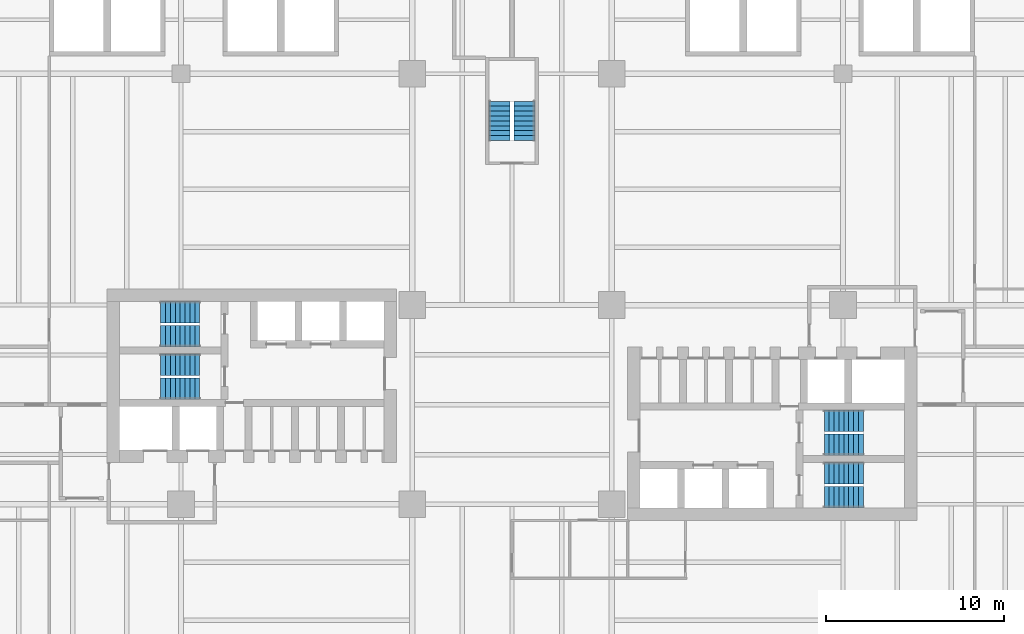
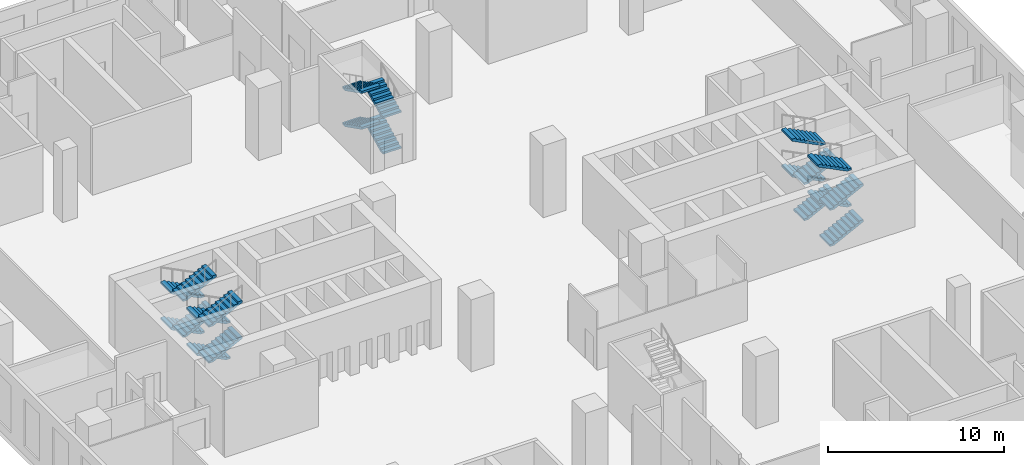
# One storey, part 12 of 13: 20 stair flights, 5 elements without a shape of their own.
"""IFC4 building model written with IfcOpenShell, lengths in metres."""

from ifc_helpers import new_model, si_unit, direction, frame, origin, place, context, subcontext, project, spatial, polyline, outline, extrude, source, transform, mapped, material, type_object, element, aggregate, save


model = new_model("IFC4")

# Units and contexts
model_context = context("Model", 3, precision=1e-05, world=origin(), true_north=direction((0.0, 1.0)))
body_context = subcontext(model_context, "Body", "Model", "MODEL_VIEW")
ifc_project = project(units=[si_unit("LENGTHUNIT", "METRE"), si_unit("AREAUNIT", "SQUARE_METRE"), si_unit("VOLUMEUNIT", "CUBIC_METRE"), si_unit("PLANEANGLEUNIT", "RADIAN"), si_unit("MASSUNIT", "GRAM", prefix="KILO")], contexts=[model_context])

# Site, building, storey
site_placement = place(None, origin())
site = spatial("IfcSite", under=ifc_project, at=site_placement, CompositionType="ELEMENT")
building_placement = place(site_placement, origin())
building = spatial("IfcBuilding", under=site, at=building_placement, Name="Trellis Farm Tower", CompositionType="ELEMENT")
storey_placement = place(building_placement, frame((0.0, 0.0, 29.0)))
storey = spatial("IfcBuildingStorey", under=building, at=storey_placement, Name="L05", CompositionType="ELEMENT", Elevation=29.0)

# Stair, stair flights
ifc_material = material(Name="Concrete C50/60", Category="concrete")
stair_type = type_object("IfcStairType", Name="CORE EXIT STAIR 36 RISERS 139 MM", PredefinedType="HALF_TURN_STAIR", material=ifc_material)
placement = place(storey_placement, origin())
stair_1 = element("IfcStair", 1, at=placement, inside=storey, type_object=stair_type, Name="Exit stair N", PredefinedType="HALF_TURN_STAIR")
stair_flight_type = type_object("IfcStairFlightType", Name="STAIR FLIGHT 9 RISERS 139 MM", PredefinedType="STRAIGHT", material=ifc_material)
shared_shape = source(origin(), body_context, "Body", "SweptSolid", [
    extrude(outline(polyline([(0.0, 0.0), (0.0, 0.138916015625), (0.27490234375, 0.138916015625), (0.27490234375, 0.27783203125), (0.550048828125, 0.27783203125), (0.550048828125, 0.416748046875), (0.824951171875, 0.416748046875), (0.824951171875, 0.5556640625), (1.10009765625, 0.5556640625), (1.10009765625, 0.6943359375), (1.375, 0.6943359375), (1.375, 0.833251953125), (1.64990234375, 0.833251953125), (1.64990234375, 0.97216796875), (1.925048828125, 0.97216796875), (1.925048828125, 1.111083984375), (2.199951171875, 1.111083984375), (2.199951171875, 1.25), (2.199951171875, 0.965576171875), (0.2880859375, 0.0), (0.0, 0.0)])), frame((0.0, 0.60009765625, 0.0), z_axis=(0.0, -1.0, 0.0), x_axis=(1.0, 0.0, 0.0)), (0.0, 0.0, 1.0), 1.199951171875),
])
stair_flight_1_placement = place(storey_placement, frame((0.699951171875, 14.85009765625, 0.0), z_axis=(0.0, 0.0, 1.0), x_axis=(0.0, 1.0, 0.0)))
stair_flight_1 = element("IfcStairFlight", 2, at=stair_flight_1_placement, type_object=stair_flight_type, Name="STN flight 1", NumberOfRisers=9, NumberOfTreads=8, PredefinedType="STRAIGHT", RiserHeight=0.138888889, TreadLength=0.275, context=body_context, shape_type="MappedRepresentation", body=[
    mapped(shared_shape, transform((0.0, 0.0, 0.0))),
])
stair_flight_2_placement = place(storey_placement, frame((-0.699951171875, 17.050048828125, 1.25), z_axis=(0.0, 0.0, 1.0), x_axis=(0.0, -1.0, 0.0)))
stair_flight_2 = element("IfcStairFlight", 3, at=stair_flight_2_placement, type_object=stair_flight_type, Name="STN flight 2", NumberOfRisers=9, NumberOfTreads=8, PredefinedType="STRAIGHT", RiserHeight=0.138888889, TreadLength=0.275, context=body_context, shape_type="MappedRepresentation", body=[
    mapped(shared_shape, transform((0.0, 0.0, 0.0))),
])
stair_flight_3_placement = place(storey_placement, frame((0.699951171875, 14.85009765625, 2.5), z_axis=(0.0, 0.0, 1.0), x_axis=(0.0, 1.0, 0.0)))
stair_flight_3 = element("IfcStairFlight", 4, at=stair_flight_3_placement, type_object=stair_flight_type, Name="STN flight 3", NumberOfRisers=9, NumberOfTreads=8, PredefinedType="STRAIGHT", RiserHeight=0.138888889, TreadLength=0.275, context=body_context, shape_type="MappedRepresentation", body=[
    mapped(shared_shape, transform((0.0, 0.0, 0.0))),
])
stair_flight_4_placement = place(storey_placement, frame((-0.699951171875, 17.050048828125, 3.75), z_axis=(0.0, 0.0, 1.0), x_axis=(0.0, -1.0, 0.0)))
stair_flight_4 = element("IfcStairFlight", 5, at=stair_flight_4_placement, type_object=stair_flight_type, Name="STN flight 4", NumberOfRisers=9, NumberOfTreads=8, PredefinedType="STRAIGHT", RiserHeight=0.138888889, TreadLength=0.275, context=body_context, shape_type="MappedRepresentation", body=[
    mapped(shared_shape, transform((0.0, 0.0, 0.0))),
])
aggregate(stair_1, [stair_flight_1, stair_flight_2, stair_flight_3, stair_flight_4])

stair_2 = element("IfcStair", 6, at=placement, inside=storey, type_object=stair_type, Name="Exit stair E1", PredefinedType="HALF_TURN_STAIR")
stair_flight_5_placement = place(storey_placement, frame((17.550048828125, -5.199951171875, 0.0), z_axis=(0.0, 0.0, 1.0), x_axis=(1.0, 0.0, 0.0)))
stair_flight_5 = element("IfcStairFlight", 7, at=stair_flight_5_placement, type_object=stair_flight_type, Name="STE1 flight 1", NumberOfRisers=9, NumberOfTreads=8, PredefinedType="STRAIGHT", RiserHeight=0.138888889, TreadLength=0.275, context=body_context, shape_type="MappedRepresentation", body=[
    mapped(shared_shape, transform((0.0, 0.0, 0.0))),
])
stair_flight_6_placement = place(storey_placement, frame((19.75, -3.85009765625, 1.25), z_axis=(0.0, 0.0, 1.0), x_axis=(-1.0, 0.0, 0.0)))
stair_flight_6 = element("IfcStairFlight", 8, at=stair_flight_6_placement, type_object=stair_flight_type, Name="STE1 flight 2", NumberOfRisers=9, NumberOfTreads=8, PredefinedType="STRAIGHT", RiserHeight=0.138888889, TreadLength=0.275, context=body_context, shape_type="MappedRepresentation", body=[
    mapped(shared_shape, transform((0.0, 0.0, 0.0))),
])
stair_flight_7_placement = place(storey_placement, frame((17.550048828125, -5.199951171875, 2.5), z_axis=(0.0, 0.0, 1.0), x_axis=(1.0, 0.0, 0.0)))
stair_flight_7 = element("IfcStairFlight", 9, at=stair_flight_7_placement, type_object=stair_flight_type, Name="STE1 flight 3", NumberOfRisers=9, NumberOfTreads=8, PredefinedType="STRAIGHT", RiserHeight=0.138888889, TreadLength=0.275, context=body_context, shape_type="MappedRepresentation", body=[
    mapped(shared_shape, transform((0.0, 0.0, 0.0))),
])
stair_flight_8_placement = place(storey_placement, frame((19.75, -3.85009765625, 3.75), z_axis=(0.0, 0.0, 1.0), x_axis=(-1.0, 0.0, 0.0)))
stair_flight_8 = element("IfcStairFlight", 10, at=stair_flight_8_placement, type_object=stair_flight_type, Name="STE1 flight 4", NumberOfRisers=9, NumberOfTreads=8, PredefinedType="STRAIGHT", RiserHeight=0.138888889, TreadLength=0.275, context=body_context, shape_type="MappedRepresentation", body=[
    mapped(shared_shape, transform((0.0, 0.0, 0.0))),
])
aggregate(stair_2, [stair_flight_5, stair_flight_6, stair_flight_7, stair_flight_8])

stair_3 = element("IfcStair", 11, at=placement, inside=storey, type_object=stair_type, Name="Exit stair E2", PredefinedType="HALF_TURN_STAIR")
stair_flight_9_placement = place(storey_placement, frame((17.550048828125, -2.25, 0.0), z_axis=(0.0, 0.0, 1.0), x_axis=(1.0, 0.0, 0.0)))
stair_flight_9 = element("IfcStairFlight", 12, at=stair_flight_9_placement, type_object=stair_flight_type, Name="STE2 flight 1", NumberOfRisers=9, NumberOfTreads=8, PredefinedType="STRAIGHT", RiserHeight=0.138888889, TreadLength=0.275, context=body_context, shape_type="MappedRepresentation", body=[
    mapped(shared_shape, transform((0.0, 0.0, 0.0))),
])
stair_flight_10_placement = place(storey_placement, frame((19.75, -0.89990234375, 1.25), z_axis=(0.0, 0.0, 1.0), x_axis=(-1.0, 0.0, 0.0)))
stair_flight_10 = element("IfcStairFlight", 13, at=stair_flight_10_placement, type_object=stair_flight_type, Name="STE2 flight 2", NumberOfRisers=9, NumberOfTreads=8, PredefinedType="STRAIGHT", RiserHeight=0.138888889, TreadLength=0.275, context=body_context, shape_type="MappedRepresentation", body=[
    mapped(shared_shape, transform((0.0, 0.0, 0.0))),
])
stair_flight_11_placement = place(storey_placement, frame((17.550048828125, -2.25, 2.5), z_axis=(0.0, 0.0, 1.0), x_axis=(1.0, 0.0, 0.0)))
stair_flight_11 = element("IfcStairFlight", 14, at=stair_flight_11_placement, type_object=stair_flight_type, Name="STE2 flight 3", NumberOfRisers=9, NumberOfTreads=8, PredefinedType="STRAIGHT", RiserHeight=0.138888889, TreadLength=0.275, context=body_context, shape_type="MappedRepresentation", body=[
    mapped(shared_shape, transform((0.0, 0.0, 0.0))),
])
stair_flight_12_placement = place(storey_placement, frame((19.75, -0.89990234375, 3.75), z_axis=(0.0, 0.0, 1.0), x_axis=(-1.0, 0.0, 0.0)))
stair_flight_12 = element("IfcStairFlight", 15, at=stair_flight_12_placement, type_object=stair_flight_type, Name="STE2 flight 4", NumberOfRisers=9, NumberOfTreads=8, PredefinedType="STRAIGHT", RiserHeight=0.138888889, TreadLength=0.275, context=body_context, shape_type="MappedRepresentation", body=[
    mapped(shared_shape, transform((0.0, 0.0, 0.0))),
])
aggregate(stair_3, [stair_flight_9, stair_flight_10, stair_flight_11, stair_flight_12])

stair_4 = element("IfcStair", 16, at=placement, inside=storey, type_object=stair_type, Name="Exit stair W1", PredefinedType="HALF_TURN_STAIR")
stair_flight_13_placement = place(storey_placement, frame((-17.550048828125, 5.199951171875, 0.0), z_axis=(0.0, 0.0, 1.0), x_axis=(-1.0, 0.0, 0.0)))
stair_flight_13 = element("IfcStairFlight", 17, at=stair_flight_13_placement, type_object=stair_flight_type, Name="STW1 flight 1", NumberOfRisers=9, NumberOfTreads=8, PredefinedType="STRAIGHT", RiserHeight=0.138888889, TreadLength=0.275, context=body_context, shape_type="MappedRepresentation", body=[
    mapped(shared_shape, transform((0.0, 0.0, 0.0))),
])
stair_flight_14_placement = place(storey_placement, frame((-19.75, 3.85009765625, 1.25), z_axis=(0.0, 0.0, 1.0), x_axis=(1.0, 0.0, 0.0)))
stair_flight_14 = element("IfcStairFlight", 18, at=stair_flight_14_placement, type_object=stair_flight_type, Name="STW1 flight 2", NumberOfRisers=9, NumberOfTreads=8, PredefinedType="STRAIGHT", RiserHeight=0.138888889, TreadLength=0.275, context=body_context, shape_type="MappedRepresentation", body=[
    mapped(shared_shape, transform((0.0, 0.0, 0.0))),
])
stair_flight_15_placement = place(storey_placement, frame((-17.550048828125, 5.199951171875, 2.5), z_axis=(0.0, 0.0, 1.0), x_axis=(-1.0, 0.0, 0.0)))
stair_flight_15 = element("IfcStairFlight", 19, at=stair_flight_15_placement, type_object=stair_flight_type, Name="STW1 flight 3", NumberOfRisers=9, NumberOfTreads=8, PredefinedType="STRAIGHT", RiserHeight=0.138888889, TreadLength=0.275, context=body_context, shape_type="MappedRepresentation", body=[
    mapped(shared_shape, transform((0.0, 0.0, 0.0))),
])
stair_flight_16_placement = place(storey_placement, frame((-19.75, 3.85009765625, 3.75), z_axis=(0.0, 0.0, 1.0), x_axis=(1.0, 0.0, 0.0)))
stair_flight_16 = element("IfcStairFlight", 20, at=stair_flight_16_placement, type_object=stair_flight_type, Name="STW1 flight 4", NumberOfRisers=9, NumberOfTreads=8, PredefinedType="STRAIGHT", RiserHeight=0.138888889, TreadLength=0.275, context=body_context, shape_type="MappedRepresentation", body=[
    mapped(shared_shape, transform((0.0, 0.0, 0.0))),
])
aggregate(stair_4, [stair_flight_13, stair_flight_14, stair_flight_15, stair_flight_16])

stair_5 = element("IfcStair", 21, at=placement, inside=storey, type_object=stair_type, Name="Exit stair W2", PredefinedType="HALF_TURN_STAIR")
stair_flight_17_placement = place(storey_placement, frame((-17.550048828125, 2.25, 0.0), z_axis=(0.0, 0.0, 1.0), x_axis=(-1.0, 0.0, 0.0)))
stair_flight_17 = element("IfcStairFlight", 22, at=stair_flight_17_placement, type_object=stair_flight_type, Name="STW2 flight 1", NumberOfRisers=9, NumberOfTreads=8, PredefinedType="STRAIGHT", RiserHeight=0.138888889, TreadLength=0.275, context=body_context, shape_type="MappedRepresentation", body=[
    mapped(shared_shape, transform((0.0, 0.0, 0.0))),
])
stair_flight_18_placement = place(storey_placement, frame((-19.75, 0.89990234375, 1.25), z_axis=(0.0, 0.0, 1.0), x_axis=(1.0, 0.0, 0.0)))
stair_flight_18 = element("IfcStairFlight", 23, at=stair_flight_18_placement, type_object=stair_flight_type, Name="STW2 flight 2", NumberOfRisers=9, NumberOfTreads=8, PredefinedType="STRAIGHT", RiserHeight=0.138888889, TreadLength=0.275, context=body_context, shape_type="MappedRepresentation", body=[
    mapped(shared_shape, transform((0.0, 0.0, 0.0))),
])
stair_flight_19_placement = place(storey_placement, frame((-17.550048828125, 2.25, 2.5), z_axis=(0.0, 0.0, 1.0), x_axis=(-1.0, 0.0, 0.0)))
stair_flight_19 = element("IfcStairFlight", 24, at=stair_flight_19_placement, type_object=stair_flight_type, Name="STW2 flight 3", NumberOfRisers=9, NumberOfTreads=8, PredefinedType="STRAIGHT", RiserHeight=0.138888889, TreadLength=0.275, context=body_context, shape_type="MappedRepresentation", body=[
    mapped(shared_shape, transform((0.0, 0.0, 0.0))),
])
stair_flight_20_placement = place(storey_placement, frame((-19.75, 0.89990234375, 3.75), z_axis=(0.0, 0.0, 1.0), x_axis=(1.0, 0.0, 0.0)))
stair_flight_20 = element("IfcStairFlight", 25, at=stair_flight_20_placement, type_object=stair_flight_type, Name="STW2 flight 4", NumberOfRisers=9, NumberOfTreads=8, PredefinedType="STRAIGHT", RiserHeight=0.138888889, TreadLength=0.275, context=body_context, shape_type="MappedRepresentation", body=[
    mapped(shared_shape, transform((0.0, 0.0, 0.0))),
])
aggregate(stair_5, [stair_flight_17, stair_flight_18, stair_flight_19, stair_flight_20])

save(model, "model.ifc")
